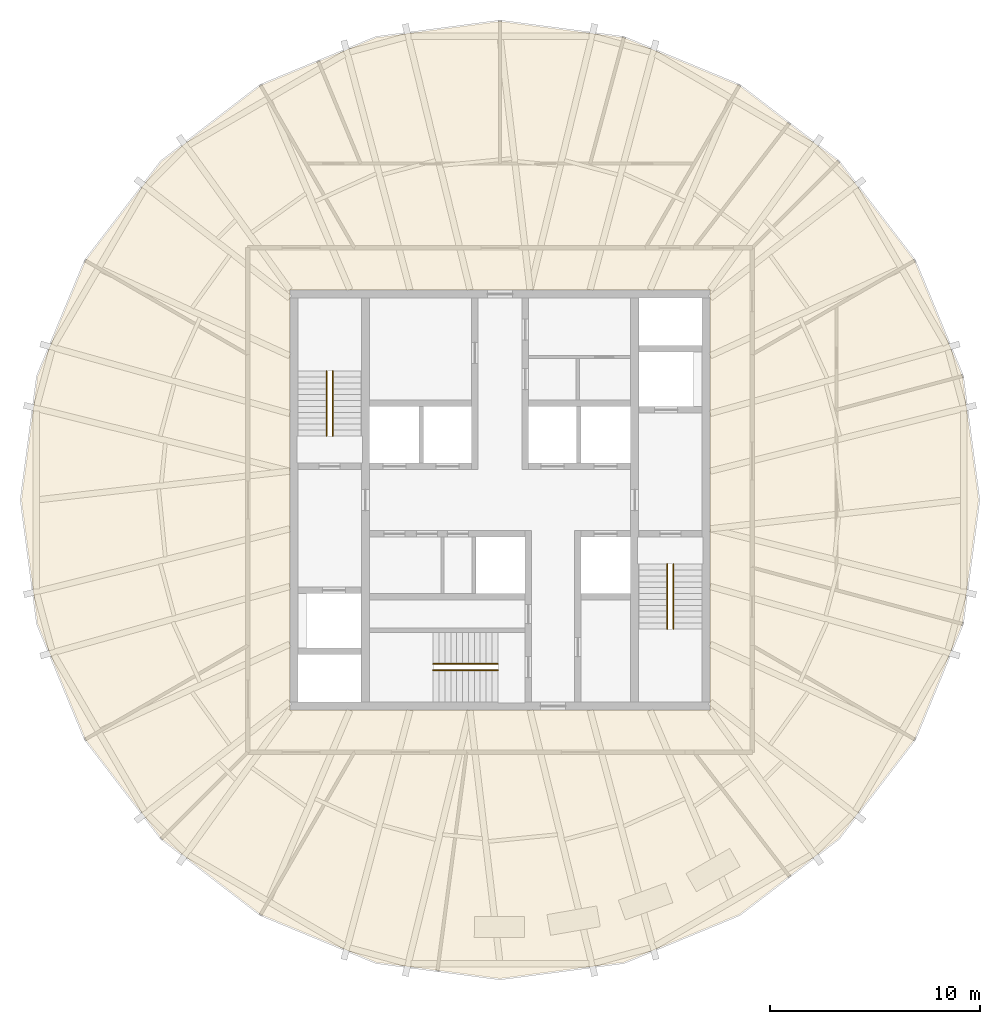
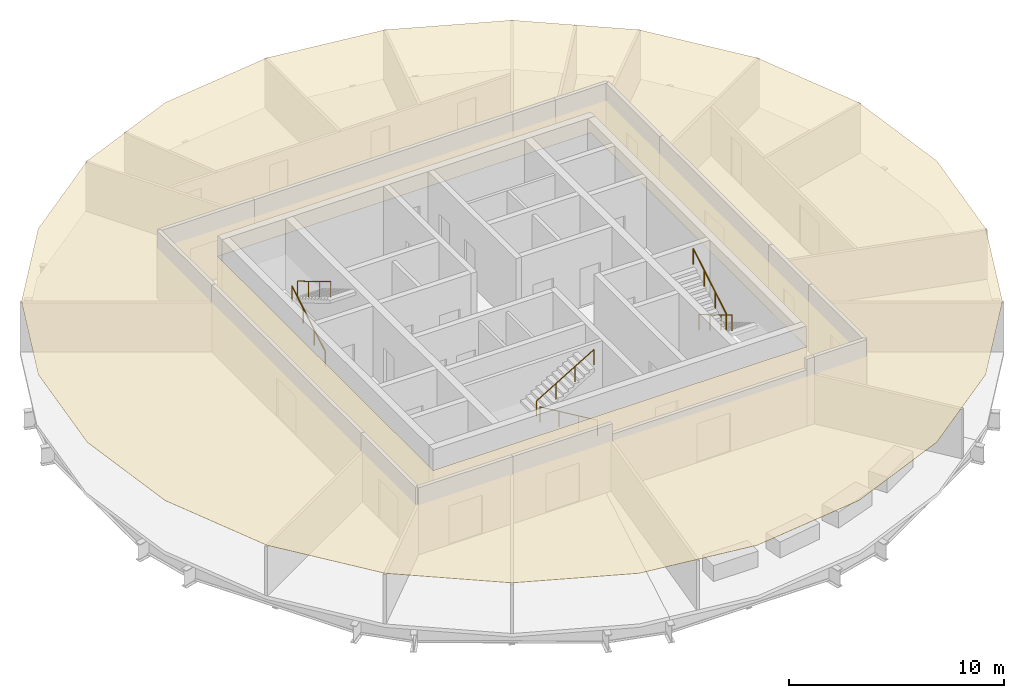
# One storey, part 6 of 7: 6 railings, 1 covering.
"""IFC4 building model written with IfcOpenShell, lengths in metres."""

from ifc_helpers import new_model, si_unit, direction, frame, origin, origin_2d, place, context, subcontext, project, spatial, polyline, circle, outline, extrude, material, layer, layer_set, type_object, element, save


model = new_model("IFC4")

# Units and contexts
model_context = context("Model", 3, precision=1e-05, world=origin(), true_north=direction((0.0, 1.0)))
body_context = subcontext(model_context, "Body", "Model", "MODEL_VIEW")
ifc_project = project(units=[si_unit("LENGTHUNIT", "METRE"), si_unit("AREAUNIT", "SQUARE_METRE"), si_unit("VOLUMEUNIT", "CUBIC_METRE"), si_unit("PLANEANGLEUNIT", "RADIAN"), si_unit("MASSUNIT", "GRAM", prefix="KILO")], contexts=[model_context])

# Site, building, storey
site_placement = place(None, origin())
site = spatial("IfcSite", under=ifc_project, at=site_placement, CompositionType="ELEMENT")
building_placement = place(site_placement, origin())
building = spatial("IfcBuilding", under=site, at=building_placement, Name="Golbaran Civic Tower", CompositionType="ELEMENT")
storey_placement = place(building_placement, frame((0.0, 0.0, 236.0)))
storey = spatial("IfcBuildingStorey", under=building, at=storey_placement, Name="L57", CompositionType="ELEMENT", Elevation=236.0)

# Railings
ifc_material_1 = material(Name="Stainless steel", Category="steel")
railing_type = type_object("IfcRailingType", Name="STAIR HANDRAIL 900", PredefinedType="HANDRAIL", material=ifc_material_1)
railing_1_placement = place(storey_placement, frame((-8.25, 3.050048828125, 0.166748046875)))
element("IfcRailing", 1, at=railing_1_placement, inside=storey, type_object=railing_type, Name="Stair S1 handrail flight 1 L57", PredefinedType="HANDRAIL", context=body_context, shape_type="SweptSolid", body=[
    extrude(circle(Radius=0.02392578125, at=origin_2d()), frame((0.0, 0.0, 0.8759765625), z_axis=(0.0, 0.859290745958, 0.51148745235), x_axis=(-1.0, 0.0, 0.0)), (0.0, 0.0, 1.0), 3.584228515625),
    extrude(circle(Radius=0.02099609375, at=origin_2d()), origin(), (0.0, 0.0, 1.0), 0.851806640625),
    extrude(circle(Radius=0.02099609375, at=origin_2d()), frame((0.0, 1.026611328125, 0.611083984375)), (0.0, 0.0, 1.0), 0.851806640625),
    extrude(circle(Radius=0.02099609375, at=origin_2d()), frame((0.0, 2.05322265625, 1.22216796875)), (0.0, 0.0, 1.0), 0.851806640625),
    extrude(circle(Radius=0.02099609375, at=origin_2d()), frame((0.0, 3.079833984375, 1.833251953125)), (0.0, 0.0, 1.0), 0.851806640625),
])
for number, where, name in (
    (2, (-7.949951171875, 6.1298828125, 2.166748046875), "Stair S1 handrail flight 2 L57"),
    (3, (8.25, -3.050048828125, 0.166748046875), "Stair S2 handrail flight 1 L57"),
):
    element("IfcRailing", number, at=place(storey_placement, frame(where)), inside=storey, type_object=railing_type, Name=name, PredefinedType="HANDRAIL", context=body_context, shape_type="SweptSolid", body=[
        extrude(circle(Radius=0.02392578125, at=origin_2d()), frame((0.0, 0.0, 0.8759765625), z_axis=(0.0, -0.859290745958, 0.51148745235), x_axis=(1.0, 0.0, 0.0)), (0.0, 0.0, 1.0), 3.584228515625),
        extrude(circle(Radius=0.02099609375, at=origin_2d()), origin(), (0.0, 0.0, 1.0), 0.851806640625),
        extrude(circle(Radius=0.02099609375, at=origin_2d()), frame((0.0, -1.026611328125, 0.611083984375)), (0.0, 0.0, 1.0), 0.851806640625),
        extrude(circle(Radius=0.02099609375, at=origin_2d()), frame((0.0, -2.05322265625, 1.22216796875)), (0.0, 0.0, 1.0), 0.851806640625),
        extrude(circle(Radius=0.02099609375, at=origin_2d()), frame((0.0, -3.079833984375, 1.833251953125)), (0.0, 0.0, 1.0), 0.851806640625),
    ])
railing_2_placement = place(storey_placement, frame((7.949951171875, -6.1298828125, 2.166748046875)))
element("IfcRailing", 4, at=railing_2_placement, inside=storey, type_object=railing_type, Name="Stair S2 handrail flight 2 L57", PredefinedType="HANDRAIL", context=body_context, shape_type="SweptSolid", body=[
    extrude(circle(Radius=0.02392578125, at=origin_2d()), frame((0.0, 0.0, 0.8759765625), z_axis=(0.0, 0.859290745958, 0.51148745235), x_axis=(-1.0, 0.0, 0.0)), (0.0, 0.0, 1.0), 3.584228515625),
    extrude(circle(Radius=0.02099609375, at=origin_2d()), origin(), (0.0, 0.0, 1.0), 0.851806640625),
    extrude(circle(Radius=0.02099609375, at=origin_2d()), frame((0.0, 1.026611328125, 0.611083984375)), (0.0, 0.0, 1.0), 0.851806640625),
    extrude(circle(Radius=0.02099609375, at=origin_2d()), frame((0.0, 2.05322265625, 1.22216796875)), (0.0, 0.0, 1.0), 0.851806640625),
    extrude(circle(Radius=0.02099609375, at=origin_2d()), frame((0.0, 3.079833984375, 1.833251953125)), (0.0, 0.0, 1.0), 0.851806640625),
])
railing_3_placement = place(storey_placement, frame((-0.10009765625, -8.10009765625, 0.166748046875)))
element("IfcRailing", 5, at=railing_3_placement, inside=storey, type_object=railing_type, Name="Stair S3 handrail flight 1 L57", PredefinedType="HANDRAIL", context=body_context, shape_type="SweptSolid", body=[
    extrude(circle(Radius=0.02392578125, at=origin_2d()), frame((0.0, 0.0, 0.8759765625), z_axis=(-0.859290745958, 0.0, 0.51148745235), x_axis=(0.0, -1.0, 0.0)), (0.0, 0.0, 1.0), 3.584228515625),
    extrude(circle(Radius=0.02099609375, at=origin_2d()), origin(), (0.0, 0.0, 1.0), 0.851806640625),
    extrude(circle(Radius=0.02099609375, at=origin_2d()), frame((-1.026611328125, 0.0, 0.611083984375)), (0.0, 0.0, 1.0), 0.851806640625),
    extrude(circle(Radius=0.02099609375, at=origin_2d()), frame((-2.05322265625, 0.0, 1.22216796875)), (0.0, 0.0, 1.0), 0.851806640625),
    extrude(circle(Radius=0.02099609375, at=origin_2d()), frame((-3.079833984375, 0.0, 1.833251953125)), (0.0, 0.0, 1.0), 0.851806640625),
])
railing_4_placement = place(storey_placement, frame((-3.179931640625, -7.800048828125, 2.166748046875)))
element("IfcRailing", 6, at=railing_4_placement, inside=storey, type_object=railing_type, Name="Stair S3 handrail flight 2 L57", PredefinedType="HANDRAIL", context=body_context, shape_type="SweptSolid", body=[
    extrude(circle(Radius=0.02392578125, at=origin_2d()), frame((0.0, 0.0, 0.8759765625), z_axis=(0.859290745958, 0.0, 0.51148745235), x_axis=(0.0, 1.0, 0.0)), (0.0, 0.0, 1.0), 3.584228515625),
    extrude(circle(Radius=0.02099609375, at=origin_2d()), origin(), (0.0, 0.0, 1.0), 0.851806640625),
    extrude(circle(Radius=0.02099609375, at=origin_2d()), frame((1.026611328125, 0.0, 0.611083984375)), (0.0, 0.0, 1.0), 0.851806640625),
    extrude(circle(Radius=0.02099609375, at=origin_2d()), frame((2.05322265625, 0.0, 1.22216796875)), (0.0, 0.0, 1.0), 0.851806640625),
    extrude(circle(Radius=0.02099609375, at=origin_2d()), frame((3.079833984375, 0.0, 1.833251953125)), (0.0, 0.0, 1.0), 0.851806640625),
])

# Covering
ifc_material_2 = material(Name="Mineral fibre tile on steel grid", Category="steel")
ifc_layer = layer(ifc_material_2, 0.02001953125, Name="Mineral fibre tile on steel grid")
ifc_layer_set = layer_set([ifc_layer], Name="Mineral fibre tile on steel grid")
covering_type = type_object("IfcCoveringType", Name="SUSPENDED CEILING 600 TILE 20", PredefinedType="CEILING", material=ifc_layer_set)
covering_placement = place(storey_placement, frame((0.0, 0.0, 2.800048828125)))
element("IfcCovering", 7, at=covering_placement, inside=storey, type_object=covering_type, Name="Suspended ceiling L57", PredefinedType="CEILING", context=body_context, shape_type="SweptSolid", body=[
    extrude(outline(polyline([(-21.9873046875, 5.8916015625), (-19.71337890625, 11.381591796875), (-16.095947265625, 16.095947265625), (-11.381591796875, 19.71337890625), (-5.8916015625, 21.9873046875), (0.0, 22.762939453125), (5.8916015625, 21.9873046875), (11.381591796875, 19.71337890625), (16.095947265625, 16.095947265625), (19.71337890625, 11.381591796875), (21.9873046875, 5.8916015625), (22.762939453125, 0.0), (21.9873046875, -5.8916015625), (19.71337890625, -11.381591796875), (16.095947265625, -16.095947265625), (11.381591796875, -19.71337890625), (5.8916015625, -21.9873046875), (0.0, -22.762939453125), (-5.8916015625, -21.9873046875), (-11.381591796875, -19.71337890625), (-16.095947265625, -16.095947265625), (-19.71337890625, -11.381591796875), (-21.9873046875, -5.8916015625), (-22.762939453125, 0.0), (-21.9873046875, 5.8916015625)]), holes=[polyline([(-10.0, 10.0), (-10.0, -10.0), (10.0, -10.0), (10.0, 10.0), (-10.0, 10.0)])]), origin(), (0.0, 0.0, 1.0), 0.02001953125),
])

save(model, "model.ifc")
